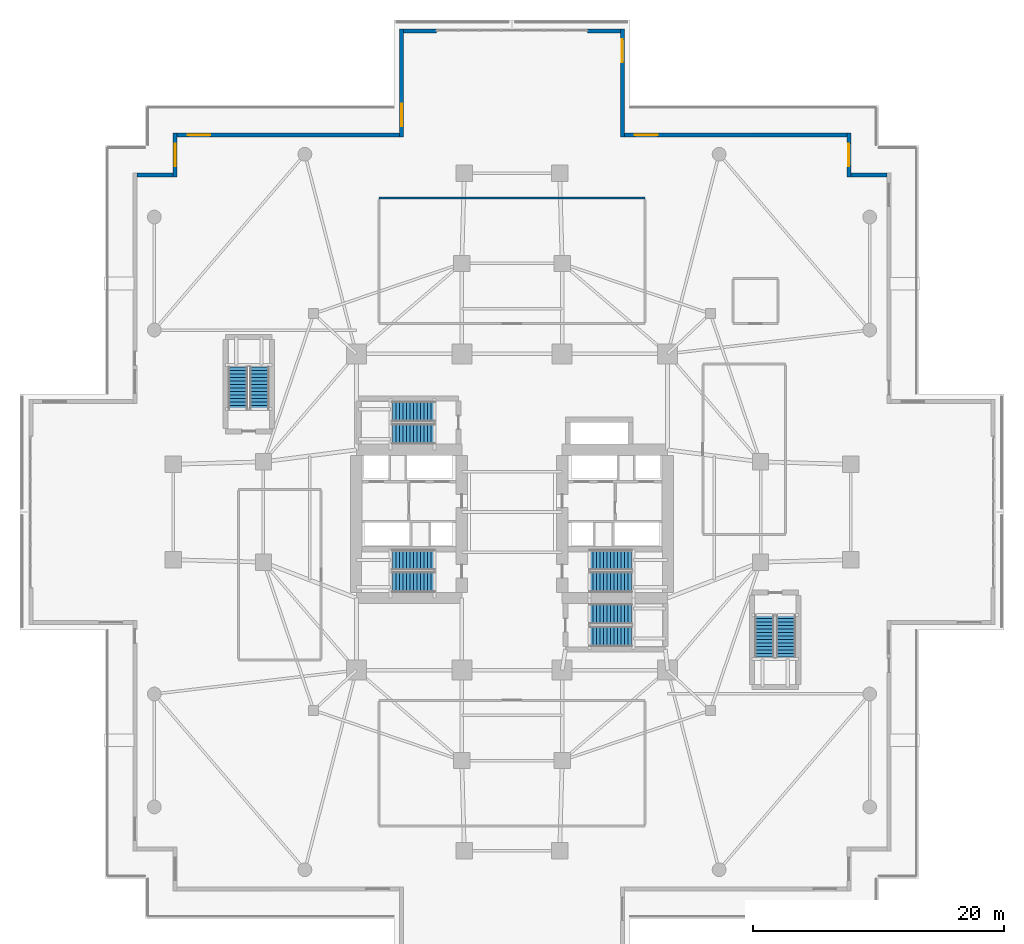
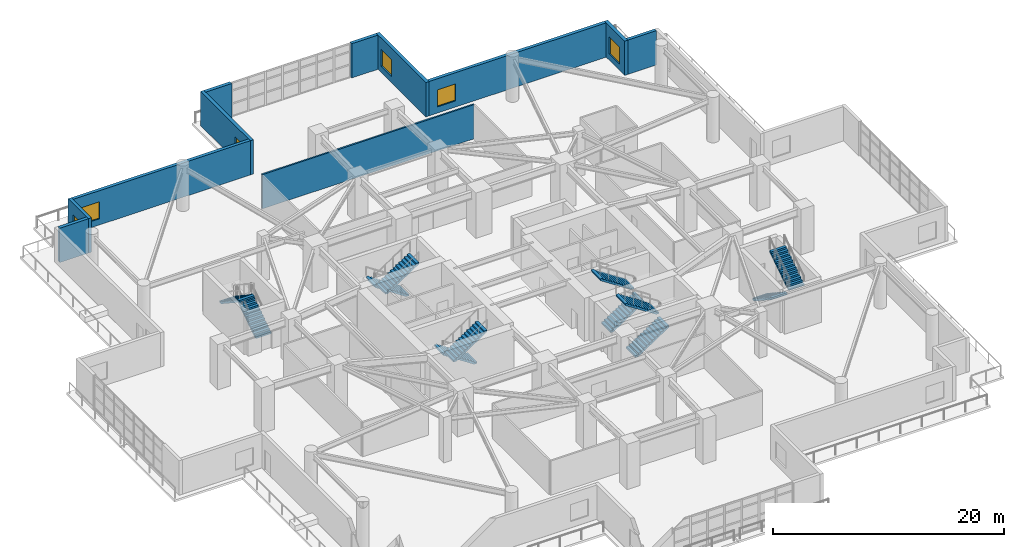
# One storey, part 16 of 23: 12 stair flights, 11 walls, 6 windows, 6 openings, 6 elements without a shape of their own.
"""IFC4 building model written with IfcOpenShell, lengths in metres."""

from ifc_helpers import new_model, si_unit, direction, frame, frame_2d, origin, place, context, subcontext, project, spatial, polyline, rectangle, outline, extrude, material, layer, layer_set, type_object, element, fill, aggregate, save


model = new_model("IFC4")

# Units and contexts
model_context = context("Model", 3, precision=1e-05, world=origin(), true_north=direction((0.0, 1.0)))
body_context = subcontext(model_context, "Body", "Model", "MODEL_VIEW")
ifc_project = project(units=[si_unit("LENGTHUNIT", "METRE"), si_unit("AREAUNIT", "SQUARE_METRE"), si_unit("VOLUMEUNIT", "CUBIC_METRE"), si_unit("PLANEANGLEUNIT", "RADIAN"), si_unit("MASSUNIT", "GRAM", prefix="KILO")], contexts=[model_context])

# Site, building, storey
site_placement = place(None, origin())
site = spatial("IfcSite", under=ifc_project, at=site_placement, CompositionType="ELEMENT")
building_placement = place(site_placement, origin())
building = spatial("IfcBuilding", under=site, at=building_placement, Name="Qingluan Cross Belvedere", CompositionType="ELEMENT")
storey_placement = place(building_placement, frame((0.0, 0.0, 5.39990234375)))
storey = spatial("IfcBuildingStorey", under=building, at=storey_placement, Name="L02", CompositionType="ELEMENT", Elevation=5.39990234375)

# Walls
ifc_material_1 = material(Name="Gypsum plasterboard on steel stud acoustic partition", Category="steel")
ifc_layer_1 = layer(ifc_material_1, 0.159912109375, Name="CorridorPartition_160")
ifc_layer_set_1 = layer_set([ifc_layer_1], Name="Gypsum plasterboard on steel stud acoustic partition")
wall_type_1 = type_object("IfcWallType", Name="CorridorPartition_160", PredefinedType="PARTITIONING", material=ifc_layer_set_1)
wall_1_placement = place(storey_placement, frame((-10.60009765625, 25.0, 0.0), z_axis=(0.0, 0.0, 1.0), x_axis=(1.0, 0.0, 0.0)))
element("IfcWall", 1, at=wall_1_placement, inside=storey, type_object=wall_type_1, Name="Partition L02:pod_n:N", PredefinedType="PARTITIONING", context=body_context, shape_type="SweptSolid", body=[
    extrude(rectangle(XDim=21.2001953125, YDim=0.159912109375, at=frame_2d((10.60009765625, 0.0))), origin(), (0.0, 0.0, 1.0), 3.6201171875),
])
ifc_material_2 = material(Name="Precast concrete C45", Category="concrete")
ifc_layer_2 = layer(ifc_material_2, 0.320068359375, Name="PrecastPodiumWall_320")
ifc_layer_set_2 = layer_set([ifc_layer_2], Name="Precast concrete C45")
wall_type_2 = type_object("IfcWallType", Name="PrecastPodiumWall_320", PredefinedType="STANDARD", material=ifc_layer_set_2)
wall_2_placement = place(storey_placement, frame((-29.8798828125, 26.840087890625, 0.0), z_axis=(0.0, 0.0, 1.0), x_axis=(1.0, 0.0, 0.0)))
element("IfcWall", 2, at=wall_2_placement, inside=storey, type_object=wall_type_2, Name="Podium precast facade wall L02-S15", PredefinedType="STANDARD", context=body_context, shape_type="SweptSolid", body=[
    extrude(rectangle(XDim=2.8798828125, YDim=0.320068359375, at=frame_2d((1.43994140625, 0.0))), origin(), (0.0, 0.0, 1.0), 3.630126953125),
])

# Wall, opening, window
wall_3_placement = place(storey_placement, frame((-26.840087890625, 26.679931640625, 0.0), z_axis=(0.0, 0.0, 1.0), x_axis=(0.0, 1.0, 0.0)))
wall_3 = element("IfcWall", 3, at=wall_3_placement, inside=storey, type_object=wall_type_2, Name="Podium precast facade wall L02-S16", PredefinedType="STANDARD", context=body_context, shape_type="SweptSolid", body=[
    extrude(rectangle(XDim=3.52001953125, YDim=0.320068359375, at=frame_2d((1.760009765625, 0.0))), origin(), (0.0, 0.0, 1.0), 3.630126953125),
])
opening_1_placement = place(wall_3_placement, frame((0.85009765625, 0.0, 0.64990234375)))
opening_1 = element("IfcOpeningElement", 4, at=opening_1_placement, cuts=wall_3, Name="Opening W-06", PredefinedType="OPENING", context=body_context, shape_type="SweptSolid", body=[
    extrude(rectangle(XDim=1.800048828125, YDim=1.800048828125, at=frame_2d((0.89990234375, 0.89990234375))), frame((0.0, 0.169921875, 0.0), z_axis=(0.0, -1.0, 0.0), x_axis=(1.0, 0.0, 0.0)), (0.0, 0.0, 1.0), 0.340087890625),
])
ifc_material_3 = material(Name="Thermally broken triple Low-E glass in aluminium frame", Category="aluminium")
window_type = type_object("IfcWindowType", Name="PodiumGalleryWin_1800x1800", PartitioningType="SINGLE_PANEL", PredefinedType="WINDOW", material=ifc_material_3)
window_1_placement = place(opening_1_placement, origin())
window_1 = element("IfcWindow", 5, at=window_1_placement, inside=storey, type_object=window_type, Name="Podium gallery window L02-S16", OverallHeight=1.800048828125, OverallWidth=1.800048828125, PartitioningType="SINGLE_PANEL", PredefinedType="WINDOW", context=body_context, shape_type="SweptSolid", body=[
    extrude(rectangle(XDim=1.800048828125, YDim=1.800048828125, at=frame_2d((0.89990234375, 0.89990234375))), frame((0.0, 0.030029296875, 0.0), z_axis=(0.0, -1.0, 0.0), x_axis=(1.0, 0.0, 0.0)), (0.0, 0.0, 1.0), 0.06005859375),
])
fill(opening_1, window_1)

wall_4_placement = place(storey_placement, frame((-26.679931640625, 30.0400390625, 0.0), z_axis=(0.0, 0.0, 1.0), x_axis=(1.0, 0.0, 0.0)))
wall_4 = element("IfcWall", 6, at=wall_4_placement, inside=storey, type_object=wall_type_2, Name="Podium precast facade wall L02-S17", PredefinedType="STANDARD", context=body_context, shape_type="SweptSolid", body=[
    extrude(rectangle(XDim=17.72998046875, YDim=0.320068359375, at=frame_2d((8.864990234375, 0.0))), origin(), (0.0, 0.0, 1.0), 3.630126953125),
])
opening_2_placement = place(wall_4_placement, frame((0.85009765625, 0.0, 0.64990234375)))
opening_2 = element("IfcOpeningElement", 7, at=opening_2_placement, cuts=wall_4, Name="Opening W-06", PredefinedType="OPENING", context=body_context, shape_type="SweptSolid", body=[
    extrude(rectangle(XDim=1.800048828125, YDim=1.800048828125, at=frame_2d((0.89990234375, 0.89990234375))), frame((0.0, 0.169921875, 0.0), z_axis=(0.0, -1.0, 0.0), x_axis=(1.0, 0.0, 0.0)), (0.0, 0.0, 1.0), 0.340087890625),
])
window_2_placement = place(opening_2_placement, origin())
window_2 = element("IfcWindow", 8, at=window_2_placement, inside=storey, type_object=window_type, Name="Podium gallery window L02-S17", OverallHeight=1.800048828125, OverallWidth=1.800048828125, PartitioningType="SINGLE_PANEL", PredefinedType="WINDOW", context=body_context, shape_type="SweptSolid", body=[
    extrude(rectangle(XDim=1.800048828125, YDim=1.800048828125, at=frame_2d((0.89990234375, 0.89990234375))), frame((0.0, 0.030029296875, 0.0), z_axis=(0.0, -1.0, 0.0), x_axis=(1.0, 0.0, 0.0)), (0.0, 0.0, 1.0), 0.06005859375),
])
fill(opening_2, window_2)

wall_5_placement = place(storey_placement, frame((-8.7900390625, 29.8798828125, 0.0), z_axis=(0.0, 0.0, 1.0), x_axis=(0.0, 1.0, 0.0)))
wall_5 = element("IfcWall", 9, at=wall_5_placement, inside=storey, type_object=wall_type_2, Name="Podium precast facade wall L02-S18", PredefinedType="STANDARD", context=body_context, shape_type="SweptSolid", body=[
    extrude(rectangle(XDim=8.6201171875, YDim=0.320068359375, at=frame_2d((4.31005859375, 0.0))), origin(), (0.0, 0.0, 1.0), 3.630126953125),
])
opening_3_placement = place(wall_5_placement, frame((0.85009765625, 0.0, 0.64990234375)))
opening_3 = element("IfcOpeningElement", 10, at=opening_3_placement, cuts=wall_5, Name="Opening W-06", PredefinedType="OPENING", context=body_context, shape_type="SweptSolid", body=[
    extrude(rectangle(XDim=1.800048828125, YDim=1.800048828125, at=frame_2d((0.89990234375, 0.89990234375))), frame((0.0, 0.169921875, 0.0), z_axis=(0.0, -1.0, 0.0), x_axis=(1.0, 0.0, 0.0)), (0.0, 0.0, 1.0), 0.340087890625),
])
window_3_placement = place(opening_3_placement, origin())
window_3 = element("IfcWindow", 11, at=window_3_placement, inside=storey, type_object=window_type, Name="Podium gallery window L02-S18", OverallHeight=1.800048828125, OverallWidth=1.800048828125, PartitioningType="SINGLE_PANEL", PredefinedType="WINDOW", context=body_context, shape_type="SweptSolid", body=[
    extrude(rectangle(XDim=1.800048828125, YDim=1.800048828125, at=frame_2d((0.89990234375, 0.89990234375))), frame((0.0, 0.030029296875, 0.0), z_axis=(0.0, -1.0, 0.0), x_axis=(1.0, 0.0, 0.0)), (0.0, 0.0, 1.0), 0.06005859375),
])
fill(opening_3, window_3)

# Walls
for number, where, z_axis, x_axis, name in (
    (12, (-8.6298828125, 38.340087890625, 0.0), (0.0, 0.0, 1.0), (1.0, 0.0, 0.0), "Podium portal pier L02-P3JA"),
    (13, (6.0, 38.340087890625, 0.0), (0.0, 0.0, 1.0), (1.0, 0.0, 0.0), "Podium portal pier L02-P3JB"),
):
    element("IfcWall", number, at=place(storey_placement, frame(where, z_axis=z_axis, x_axis=x_axis)), inside=storey, type_object=wall_type_2, Name=name, PredefinedType="STANDARD", context=body_context, shape_type="SweptSolid", body=[
        extrude(rectangle(XDim=2.6298828125, YDim=0.320068359375, at=frame_2d((1.31494140625, 0.0))), origin(), (0.0, 0.0, 1.0), 3.630126953125),
    ])

# Wall, opening, window
wall_6_placement = place(storey_placement, frame((8.7900390625, 38.5, 0.0), z_axis=(0.0, 0.0, 1.0), x_axis=(0.0, -1.0, 0.0)))
wall_6 = element("IfcWall", 14, at=wall_6_placement, inside=storey, type_object=wall_type_2, Name="Podium precast facade wall L02-S21", PredefinedType="STANDARD", context=body_context, shape_type="SweptSolid", body=[
    extrude(rectangle(XDim=8.6201171875, YDim=0.320068359375, at=frame_2d((4.31005859375, 0.0))), origin(), (0.0, 0.0, 1.0), 3.630126953125),
])
opening_4_placement = place(wall_6_placement, frame((0.85009765625, 0.0, 0.64990234375)))
opening_4 = element("IfcOpeningElement", 15, at=opening_4_placement, cuts=wall_6, Name="Opening W-06", PredefinedType="OPENING", context=body_context, shape_type="SweptSolid", body=[
    extrude(rectangle(XDim=1.800048828125, YDim=1.800048828125, at=frame_2d((0.89990234375, 0.89990234375))), frame((0.0, 0.169921875, 0.0), z_axis=(0.0, -1.0, 0.0), x_axis=(1.0, 0.0, 0.0)), (0.0, 0.0, 1.0), 0.340087890625),
])
window_4_placement = place(opening_4_placement, origin())
window_4 = element("IfcWindow", 16, at=window_4_placement, inside=storey, type_object=window_type, Name="Podium gallery window L02-S21", OverallHeight=1.800048828125, OverallWidth=1.800048828125, PartitioningType="SINGLE_PANEL", PredefinedType="WINDOW", context=body_context, shape_type="SweptSolid", body=[
    extrude(rectangle(XDim=1.800048828125, YDim=1.800048828125, at=frame_2d((0.89990234375, 0.89990234375))), frame((0.0, 0.030029296875, 0.0), z_axis=(0.0, -1.0, 0.0), x_axis=(1.0, 0.0, 0.0)), (0.0, 0.0, 1.0), 0.06005859375),
])
fill(opening_4, window_4)

wall_7_placement = place(storey_placement, frame((8.949951171875, 30.0400390625, 0.0), z_axis=(0.0, 0.0, 1.0), x_axis=(1.0, 0.0, 0.0)))
wall_7 = element("IfcWall", 17, at=wall_7_placement, inside=storey, type_object=wall_type_2, Name="Podium precast facade wall L02-S22", PredefinedType="STANDARD", context=body_context, shape_type="SweptSolid", body=[
    extrude(rectangle(XDim=17.72998046875, YDim=0.320068359375, at=frame_2d((8.864990234375, 0.0))), origin(), (0.0, 0.0, 1.0), 3.630126953125),
])
opening_5_placement = place(wall_7_placement, frame((0.85009765625, 0.0, 0.64990234375)))
opening_5 = element("IfcOpeningElement", 18, at=opening_5_placement, cuts=wall_7, Name="Opening W-06", PredefinedType="OPENING", context=body_context, shape_type="SweptSolid", body=[
    extrude(rectangle(XDim=1.800048828125, YDim=1.800048828125, at=frame_2d((0.89990234375, 0.89990234375))), frame((0.0, 0.169921875, 0.0), z_axis=(0.0, -1.0, 0.0), x_axis=(1.0, 0.0, 0.0)), (0.0, 0.0, 1.0), 0.340087890625),
])
window_5_placement = place(opening_5_placement, origin())
window_5 = element("IfcWindow", 19, at=window_5_placement, inside=storey, type_object=window_type, Name="Podium gallery window L02-S22", OverallHeight=1.800048828125, OverallWidth=1.800048828125, PartitioningType="SINGLE_PANEL", PredefinedType="WINDOW", context=body_context, shape_type="SweptSolid", body=[
    extrude(rectangle(XDim=1.800048828125, YDim=1.800048828125, at=frame_2d((0.89990234375, 0.89990234375))), frame((0.0, 0.030029296875, 0.0), z_axis=(0.0, -1.0, 0.0), x_axis=(1.0, 0.0, 0.0)), (0.0, 0.0, 1.0), 0.06005859375),
])
fill(opening_5, window_5)

wall_8_placement = place(storey_placement, frame((26.840087890625, 30.199951171875, 0.0), z_axis=(0.0, 0.0, 1.0), x_axis=(0.0, -1.0, 0.0)))
wall_8 = element("IfcWall", 20, at=wall_8_placement, inside=storey, type_object=wall_type_2, Name="Podium precast facade wall L02-S23", PredefinedType="STANDARD", context=body_context, shape_type="SweptSolid", body=[
    extrude(rectangle(XDim=3.52001953125, YDim=0.320068359375, at=frame_2d((1.760009765625, 0.0))), origin(), (0.0, 0.0, 1.0), 3.630126953125),
])
opening_6_placement = place(wall_8_placement, frame((0.85009765625, 0.0, 0.64990234375)))
opening_6 = element("IfcOpeningElement", 21, at=opening_6_placement, cuts=wall_8, Name="Opening W-06", PredefinedType="OPENING", context=body_context, shape_type="SweptSolid", body=[
    extrude(rectangle(XDim=1.800048828125, YDim=1.800048828125, at=frame_2d((0.89990234375, 0.89990234375))), frame((0.0, 0.169921875, 0.0), z_axis=(0.0, -1.0, 0.0), x_axis=(1.0, 0.0, 0.0)), (0.0, 0.0, 1.0), 0.340087890625),
])
window_6_placement = place(opening_6_placement, origin())
window_6 = element("IfcWindow", 22, at=window_6_placement, inside=storey, type_object=window_type, Name="Podium gallery window L02-S23", OverallHeight=1.800048828125, OverallWidth=1.800048828125, PartitioningType="SINGLE_PANEL", PredefinedType="WINDOW", context=body_context, shape_type="SweptSolid", body=[
    extrude(rectangle(XDim=1.800048828125, YDim=1.800048828125, at=frame_2d((0.89990234375, 0.89990234375))), frame((0.0, 0.030029296875, 0.0), z_axis=(0.0, -1.0, 0.0), x_axis=(1.0, 0.0, 0.0)), (0.0, 0.0, 1.0), 0.06005859375),
])
fill(opening_6, window_6)

# Wall
wall_9_placement = place(storey_placement, frame((27.0, 26.840087890625, 0.0), z_axis=(0.0, 0.0, 1.0), x_axis=(1.0, 0.0, 0.0)))
element("IfcWall", 23, at=wall_9_placement, inside=storey, type_object=wall_type_2, Name="Podium precast facade wall L02-S24", PredefinedType="STANDARD", context=body_context, shape_type="SweptSolid", body=[
    extrude(rectangle(XDim=2.8798828125, YDim=0.320068359375, at=frame_2d((1.43994140625, 0.0))), origin(), (0.0, 0.0, 1.0), 3.630126953125),
])

# Stair, stair flights
ifc_material_4 = material(Name="Concrete C40", Category="concrete")
stair_type_1 = type_object("IfcStairType", Name="PodiumExitStair_1550", PredefinedType="HALF_TURN_STAIR", material=ifc_material_4)
stair_1_placement = place(storey_placement, origin())
stair_1 = element("IfcStair", 24, at=stair_1_placement, inside=storey, type_object=stair_type_1, Name="L02 ST5", PredefinedType="HALF_TURN_STAIR")
ifc_material_5 = material(Name="Concrete C40", Category="concrete")
ifc_layer_3 = layer(ifc_material_5, 0.179931640625, Name="PodiumStairFlight_RC180")
ifc_layer_set_3 = layer_set([ifc_layer_3], Name="Concrete C40")
stair_flight_type_1 = type_object("IfcStairFlightType", Name="PodiumStairFlight_RC180", PredefinedType="STRAIGHT", material=ifc_layer_set_3)
stair_flight_1_placement = place(storey_placement, frame((-20.114990234375, 8.2099609375, 0.0), z_axis=(0.0, 0.0, 1.0), x_axis=(0.0, 1.0, 0.0)))
stair_flight_1 = element("IfcStairFlight", 25, at=stair_flight_1_placement, type_object=stair_flight_type_1, Name="ST5 flight 1", NumberOfRisers=13, NumberOfTreads=12, PredefinedType="STRAIGHT", RiserHeight=0.184615385, TreadLength=0.28, context=body_context, shape_type="SweptSolid", body=[
    extrude(outline(polyline([(0.0, 0.0), (0.0, 0.1845703125), (0.280029296875, 0.1845703125), (0.280029296875, 0.369140625), (0.56005859375, 0.369140625), (0.56005859375, 0.553955078125), (0.840087890625, 0.553955078125), (0.840087890625, 0.738525390625), (1.1201171875, 0.738525390625), (1.1201171875, 0.923095703125), (1.39990234375, 0.923095703125), (1.39990234375, 1.107666015625), (1.679931640625, 1.107666015625), (1.679931640625, 1.292236328125), (1.9599609375, 1.292236328125), (1.9599609375, 1.476806640625), (2.239990234375, 1.476806640625), (2.239990234375, 1.66162109375), (2.52001953125, 1.66162109375), (2.52001953125, 1.84619140625), (2.800048828125, 1.84619140625), (2.800048828125, 2.03076171875), (3.080078125, 2.03076171875), (3.080078125, 2.21533203125), (3.360107421875, 2.21533203125), (3.360107421875, 2.39990234375), (3.360107421875, 2.035888671875), (0.272216796875, 0.0), (0.0, 0.0)])), frame((0.0, 0.77490234375, 0.0), z_axis=(0.0, -1.0, 0.0), x_axis=(1.0, 0.0, 0.0)), (0.0, 0.0, 1.0), 1.550048828125),
])
stair_flight_2_placement = place(storey_placement, frame((-21.824951171875, 11.570068359375, 2.400146484375), z_axis=(0.0, 0.0, 1.0), x_axis=(0.0, -1.0, 0.0)))
stair_flight_2 = element("IfcStairFlight", 26, at=stair_flight_2_placement, type_object=stair_flight_type_1, Name="ST5 flight 2", NumberOfRisers=13, NumberOfTreads=12, PredefinedType="STRAIGHT", RiserHeight=0.184615385, TreadLength=0.28, context=body_context, shape_type="SweptSolid", body=[
    extrude(outline(polyline([(0.0, 0.0), (0.0, 0.1845703125), (0.280029296875, 0.1845703125), (0.280029296875, 0.369140625), (0.56005859375, 0.369140625), (0.56005859375, 0.553955078125), (0.840087890625, 0.553955078125), (0.840087890625, 0.738525390625), (1.1201171875, 0.738525390625), (1.1201171875, 0.923095703125), (1.39990234375, 0.923095703125), (1.39990234375, 1.107666015625), (1.679931640625, 1.107666015625), (1.679931640625, 1.292236328125), (1.9599609375, 1.292236328125), (1.9599609375, 1.476806640625), (2.239990234375, 1.476806640625), (2.239990234375, 1.66162109375), (2.52001953125, 1.66162109375), (2.52001953125, 1.84619140625), (2.800048828125, 1.84619140625), (2.800048828125, 2.03076171875), (3.080078125, 2.03076171875), (3.080078125, 2.21533203125), (3.360107421875, 2.21533203125), (3.360107421875, 2.39990234375), (3.360107421875, 2.035888671875), (0.272216796875, 0.0), (0.0, 0.0)])), frame((0.0, 0.77490234375, 0.0), z_axis=(0.0, -1.0, 0.0), x_axis=(1.0, 0.0, 0.0)), (0.0, 0.0, 1.0), 1.550048828125),
])
aggregate(stair_1, [stair_flight_1, stair_flight_2])

stair_2_placement = place(storey_placement, origin())
stair_2 = element("IfcStair", 27, at=stair_2_placement, inside=storey, type_object=stair_type_1, Name="L02 ST6", PredefinedType="HALF_TURN_STAIR")
stair_flight_3_placement = place(storey_placement, frame((20.114990234375, -8.2099609375, 0.0), z_axis=(0.0, 0.0, 1.0), x_axis=(0.0, -1.0, 0.0)))
stair_flight_3 = element("IfcStairFlight", 28, at=stair_flight_3_placement, type_object=stair_flight_type_1, Name="ST6 flight 1", NumberOfRisers=13, NumberOfTreads=12, PredefinedType="STRAIGHT", RiserHeight=0.184615385, TreadLength=0.28, context=body_context, shape_type="SweptSolid", body=[
    extrude(outline(polyline([(0.0, 0.0), (0.0, 0.1845703125), (0.280029296875, 0.1845703125), (0.280029296875, 0.369140625), (0.56005859375, 0.369140625), (0.56005859375, 0.553955078125), (0.840087890625, 0.553955078125), (0.840087890625, 0.738525390625), (1.1201171875, 0.738525390625), (1.1201171875, 0.923095703125), (1.39990234375, 0.923095703125), (1.39990234375, 1.107666015625), (1.679931640625, 1.107666015625), (1.679931640625, 1.292236328125), (1.9599609375, 1.292236328125), (1.9599609375, 1.476806640625), (2.239990234375, 1.476806640625), (2.239990234375, 1.66162109375), (2.52001953125, 1.66162109375), (2.52001953125, 1.84619140625), (2.800048828125, 1.84619140625), (2.800048828125, 2.03076171875), (3.080078125, 2.03076171875), (3.080078125, 2.21533203125), (3.360107421875, 2.21533203125), (3.360107421875, 2.39990234375), (3.360107421875, 2.035888671875), (0.272216796875, 0.0), (0.0, 0.0)])), frame((0.0, 0.77490234375, 0.0), z_axis=(0.0, -1.0, 0.0), x_axis=(1.0, 0.0, 0.0)), (0.0, 0.0, 1.0), 1.550048828125),
])
stair_flight_4_placement = place(storey_placement, frame((21.824951171875, -11.570068359375, 2.400146484375), z_axis=(0.0, 0.0, 1.0), x_axis=(0.0, 1.0, 0.0)))
stair_flight_4 = element("IfcStairFlight", 29, at=stair_flight_4_placement, type_object=stair_flight_type_1, Name="ST6 flight 2", NumberOfRisers=13, NumberOfTreads=12, PredefinedType="STRAIGHT", RiserHeight=0.184615385, TreadLength=0.28, context=body_context, shape_type="SweptSolid", body=[
    extrude(outline(polyline([(0.0, 0.0), (0.0, 0.1845703125), (0.280029296875, 0.1845703125), (0.280029296875, 0.369140625), (0.56005859375, 0.369140625), (0.56005859375, 0.553955078125), (0.840087890625, 0.553955078125), (0.840087890625, 0.738525390625), (1.1201171875, 0.738525390625), (1.1201171875, 0.923095703125), (1.39990234375, 0.923095703125), (1.39990234375, 1.107666015625), (1.679931640625, 1.107666015625), (1.679931640625, 1.292236328125), (1.9599609375, 1.292236328125), (1.9599609375, 1.476806640625), (2.239990234375, 1.476806640625), (2.239990234375, 1.66162109375), (2.52001953125, 1.66162109375), (2.52001953125, 1.84619140625), (2.800048828125, 1.84619140625), (2.800048828125, 2.03076171875), (3.080078125, 2.03076171875), (3.080078125, 2.21533203125), (3.360107421875, 2.21533203125), (3.360107421875, 2.39990234375), (3.360107421875, 2.035888671875), (0.272216796875, 0.0), (0.0, 0.0)])), frame((0.0, 0.77490234375, 0.0), z_axis=(0.0, -1.0, 0.0), x_axis=(1.0, 0.0, 0.0)), (0.0, 0.0, 1.0), 1.550048828125),
])
aggregate(stair_2, [stair_flight_3, stair_flight_4])

ifc_material_6 = material(Name="Concrete C40", Category="concrete")
stair_type_2 = type_object("IfcStairType", Name="CoreDoglegStair_1620", PredefinedType="HALF_TURN_STAIR", material=ifc_material_6)
stair_3_placement = place(storey_placement, origin())
stair_3 = element("IfcStair", 30, at=stair_3_placement, inside=storey, type_object=stair_type_2, Name="L02 ST1", PredefinedType="HALF_TURN_STAIR")
ifc_material_7 = material(Name="Concrete C40", Category="concrete")
ifc_layer_4 = layer(ifc_material_7, 0.179931640625, Name="StairFlight_RC180")
ifc_layer_set_4 = layer_set([ifc_layer_4], Name="Concrete C40")
stair_flight_type_2 = type_object("IfcStairFlightType", Name="StairFlight_RC180", PredefinedType="STRAIGHT", material=ifc_layer_set_4)
stair_flight_5_placement = place(storey_placement, frame((-6.179931640625, -3.81005859375, 0.0), z_axis=(0.0, 0.0, 1.0), x_axis=(-1.0, 0.0, 0.0)))
stair_flight_5 = element("IfcStairFlight", 31, at=stair_flight_5_placement, type_object=stair_flight_type_2, Name="ST1 flight 1", NumberOfRisers=13, NumberOfTreads=12, PredefinedType="STRAIGHT", RiserHeight=0.184615385, TreadLength=0.28, context=body_context, shape_type="SweptSolid", body=[
    extrude(outline(polyline([(0.0, 0.0), (0.0, 0.1845703125), (0.280029296875, 0.1845703125), (0.280029296875, 0.369140625), (0.56005859375, 0.369140625), (0.56005859375, 0.553955078125), (0.840087890625, 0.553955078125), (0.840087890625, 0.738525390625), (1.1201171875, 0.738525390625), (1.1201171875, 0.923095703125), (1.39990234375, 0.923095703125), (1.39990234375, 1.107666015625), (1.679931640625, 1.107666015625), (1.679931640625, 1.292236328125), (1.9599609375, 1.292236328125), (1.9599609375, 1.476806640625), (2.239990234375, 1.476806640625), (2.239990234375, 1.66162109375), (2.52001953125, 1.66162109375), (2.52001953125, 1.84619140625), (2.800048828125, 1.84619140625), (2.800048828125, 2.03076171875), (3.080078125, 2.03076171875), (3.080078125, 2.21533203125), (3.360107421875, 2.21533203125), (3.360107421875, 2.39990234375), (3.360107421875, 2.035888671875), (0.272216796875, 0.0), (0.0, 0.0)])), frame((0.0, 0.81005859375, 0.0), z_axis=(0.0, -1.0, 0.0), x_axis=(1.0, 0.0, 0.0)), (0.0, 0.0, 1.0), 1.6201171875),
])
stair_flight_6_placement = place(storey_placement, frame((-9.5400390625, -5.590087890625, 2.400146484375), z_axis=(0.0, 0.0, 1.0), x_axis=(1.0, 0.0, 0.0)))
stair_flight_6 = element("IfcStairFlight", 32, at=stair_flight_6_placement, type_object=stair_flight_type_2, Name="ST1 flight 2", NumberOfRisers=13, NumberOfTreads=12, PredefinedType="STRAIGHT", RiserHeight=0.184615385, TreadLength=0.28, context=body_context, shape_type="SweptSolid", body=[
    extrude(outline(polyline([(0.0, 0.0), (0.0, 0.1845703125), (0.280029296875, 0.1845703125), (0.280029296875, 0.369140625), (0.56005859375, 0.369140625), (0.56005859375, 0.553955078125), (0.840087890625, 0.553955078125), (0.840087890625, 0.738525390625), (1.1201171875, 0.738525390625), (1.1201171875, 0.923095703125), (1.39990234375, 0.923095703125), (1.39990234375, 1.107666015625), (1.679931640625, 1.107666015625), (1.679931640625, 1.292236328125), (1.9599609375, 1.292236328125), (1.9599609375, 1.476806640625), (2.239990234375, 1.476806640625), (2.239990234375, 1.66162109375), (2.52001953125, 1.66162109375), (2.52001953125, 1.84619140625), (2.800048828125, 1.84619140625), (2.800048828125, 2.03076171875), (3.080078125, 2.03076171875), (3.080078125, 2.21533203125), (3.360107421875, 2.21533203125), (3.360107421875, 2.39990234375), (3.360107421875, 2.035888671875), (0.272216796875, 0.0), (0.0, 0.0)])), frame((0.0, 0.81005859375, 0.0), z_axis=(0.0, -1.0, 0.0), x_axis=(1.0, 0.0, 0.0)), (0.0, 0.0, 1.0), 1.6201171875),
])
aggregate(stair_3, [stair_flight_5, stair_flight_6])

stair_4_placement = place(storey_placement, origin())
stair_4 = element("IfcStair", 33, at=stair_4_placement, inside=storey, type_object=stair_type_2, Name="L02 ST2", PredefinedType="HALF_TURN_STAIR")
stair_flight_7_placement = place(storey_placement, frame((6.179931640625, -5.590087890625, 0.0), z_axis=(0.0, 0.0, 1.0), x_axis=(1.0, 0.0, 0.0)))
stair_flight_7 = element("IfcStairFlight", 34, at=stair_flight_7_placement, type_object=stair_flight_type_2, Name="ST2 flight 1", NumberOfRisers=13, NumberOfTreads=12, PredefinedType="STRAIGHT", RiserHeight=0.184615385, TreadLength=0.28, context=body_context, shape_type="SweptSolid", body=[
    extrude(outline(polyline([(0.0, 0.0), (0.0, 0.1845703125), (0.280029296875, 0.1845703125), (0.280029296875, 0.369140625), (0.56005859375, 0.369140625), (0.56005859375, 0.553955078125), (0.840087890625, 0.553955078125), (0.840087890625, 0.738525390625), (1.1201171875, 0.738525390625), (1.1201171875, 0.923095703125), (1.39990234375, 0.923095703125), (1.39990234375, 1.107666015625), (1.679931640625, 1.107666015625), (1.679931640625, 1.292236328125), (1.9599609375, 1.292236328125), (1.9599609375, 1.476806640625), (2.239990234375, 1.476806640625), (2.239990234375, 1.66162109375), (2.52001953125, 1.66162109375), (2.52001953125, 1.84619140625), (2.800048828125, 1.84619140625), (2.800048828125, 2.03076171875), (3.080078125, 2.03076171875), (3.080078125, 2.21533203125), (3.360107421875, 2.21533203125), (3.360107421875, 2.39990234375), (3.360107421875, 2.035888671875), (0.272216796875, 0.0), (0.0, 0.0)])), frame((0.0, 0.81005859375, 0.0), z_axis=(0.0, -1.0, 0.0), x_axis=(1.0, 0.0, 0.0)), (0.0, 0.0, 1.0), 1.6201171875),
])
stair_flight_8_placement = place(storey_placement, frame((9.5400390625, -3.81005859375, 2.400146484375), z_axis=(0.0, 0.0, 1.0), x_axis=(-1.0, 0.0, 0.0)))
stair_flight_8 = element("IfcStairFlight", 35, at=stair_flight_8_placement, type_object=stair_flight_type_2, Name="ST2 flight 2", NumberOfRisers=13, NumberOfTreads=12, PredefinedType="STRAIGHT", RiserHeight=0.184615385, TreadLength=0.28, context=body_context, shape_type="SweptSolid", body=[
    extrude(outline(polyline([(0.0, 0.0), (0.0, 0.1845703125), (0.280029296875, 0.1845703125), (0.280029296875, 0.369140625), (0.56005859375, 0.369140625), (0.56005859375, 0.553955078125), (0.840087890625, 0.553955078125), (0.840087890625, 0.738525390625), (1.1201171875, 0.738525390625), (1.1201171875, 0.923095703125), (1.39990234375, 0.923095703125), (1.39990234375, 1.107666015625), (1.679931640625, 1.107666015625), (1.679931640625, 1.292236328125), (1.9599609375, 1.292236328125), (1.9599609375, 1.476806640625), (2.239990234375, 1.476806640625), (2.239990234375, 1.66162109375), (2.52001953125, 1.66162109375), (2.52001953125, 1.84619140625), (2.800048828125, 1.84619140625), (2.800048828125, 2.03076171875), (3.080078125, 2.03076171875), (3.080078125, 2.21533203125), (3.360107421875, 2.21533203125), (3.360107421875, 2.39990234375), (3.360107421875, 2.035888671875), (0.272216796875, 0.0), (0.0, 0.0)])), frame((0.0, 0.81005859375, 0.0), z_axis=(0.0, -1.0, 0.0), x_axis=(1.0, 0.0, 0.0)), (0.0, 0.0, 1.0), 1.6201171875),
])
aggregate(stair_4, [stair_flight_7, stair_flight_8])

stair_5_placement = place(storey_placement, origin())
stair_5 = element("IfcStair", 36, at=stair_5_placement, inside=storey, type_object=stair_type_2, Name="L02 ST3", PredefinedType="HALF_TURN_STAIR")
stair_flight_9_placement = place(storey_placement, frame((-6.179931640625, 8.010009765625, 0.0), z_axis=(0.0, 0.0, 1.0), x_axis=(-1.0, 0.0, 0.0)))
stair_flight_9 = element("IfcStairFlight", 37, at=stair_flight_9_placement, type_object=stair_flight_type_2, Name="ST3 flight 1", NumberOfRisers=13, NumberOfTreads=12, PredefinedType="STRAIGHT", RiserHeight=0.184615385, TreadLength=0.28, context=body_context, shape_type="SweptSolid", body=[
    extrude(outline(polyline([(0.0, 0.0), (0.0, 0.1845703125), (0.280029296875, 0.1845703125), (0.280029296875, 0.369140625), (0.56005859375, 0.369140625), (0.56005859375, 0.553955078125), (0.840087890625, 0.553955078125), (0.840087890625, 0.738525390625), (1.1201171875, 0.738525390625), (1.1201171875, 0.923095703125), (1.39990234375, 0.923095703125), (1.39990234375, 1.107666015625), (1.679931640625, 1.107666015625), (1.679931640625, 1.292236328125), (1.9599609375, 1.292236328125), (1.9599609375, 1.476806640625), (2.239990234375, 1.476806640625), (2.239990234375, 1.66162109375), (2.52001953125, 1.66162109375), (2.52001953125, 1.84619140625), (2.800048828125, 1.84619140625), (2.800048828125, 2.03076171875), (3.080078125, 2.03076171875), (3.080078125, 2.21533203125), (3.360107421875, 2.21533203125), (3.360107421875, 2.39990234375), (3.360107421875, 2.035888671875), (0.272216796875, 0.0), (0.0, 0.0)])), frame((0.0, 0.81005859375, 0.0), z_axis=(0.0, -1.0, 0.0), x_axis=(1.0, 0.0, 0.0)), (0.0, 0.0, 1.0), 1.6201171875),
])
stair_flight_10_placement = place(storey_placement, frame((-9.5400390625, 6.22998046875, 2.400146484375), z_axis=(0.0, 0.0, 1.0), x_axis=(1.0, 0.0, 0.0)))
stair_flight_10 = element("IfcStairFlight", 38, at=stair_flight_10_placement, type_object=stair_flight_type_2, Name="ST3 flight 2", NumberOfRisers=13, NumberOfTreads=12, PredefinedType="STRAIGHT", RiserHeight=0.184615385, TreadLength=0.28, context=body_context, shape_type="SweptSolid", body=[
    extrude(outline(polyline([(0.0, 0.0), (0.0, 0.1845703125), (0.280029296875, 0.1845703125), (0.280029296875, 0.369140625), (0.56005859375, 0.369140625), (0.56005859375, 0.553955078125), (0.840087890625, 0.553955078125), (0.840087890625, 0.738525390625), (1.1201171875, 0.738525390625), (1.1201171875, 0.923095703125), (1.39990234375, 0.923095703125), (1.39990234375, 1.107666015625), (1.679931640625, 1.107666015625), (1.679931640625, 1.292236328125), (1.9599609375, 1.292236328125), (1.9599609375, 1.476806640625), (2.239990234375, 1.476806640625), (2.239990234375, 1.66162109375), (2.52001953125, 1.66162109375), (2.52001953125, 1.84619140625), (2.800048828125, 1.84619140625), (2.800048828125, 2.03076171875), (3.080078125, 2.03076171875), (3.080078125, 2.21533203125), (3.360107421875, 2.21533203125), (3.360107421875, 2.39990234375), (3.360107421875, 2.035888671875), (0.272216796875, 0.0), (0.0, 0.0)])), frame((0.0, 0.81005859375, 0.0), z_axis=(0.0, -1.0, 0.0), x_axis=(1.0, 0.0, 0.0)), (0.0, 0.0, 1.0), 1.6201171875),
])
aggregate(stair_5, [stair_flight_9, stair_flight_10])

stair_6_placement = place(storey_placement, origin())
stair_6 = element("IfcStair", 39, at=stair_6_placement, inside=storey, type_object=stair_type_2, Name="L02 ST4", PredefinedType="HALF_TURN_STAIR")
stair_flight_11_placement = place(storey_placement, frame((6.179931640625, -9.909912109375, 0.0), z_axis=(0.0, 0.0, 1.0), x_axis=(1.0, 0.0, 0.0)))
stair_flight_11 = element("IfcStairFlight", 40, at=stair_flight_11_placement, type_object=stair_flight_type_2, Name="ST4 flight 1", NumberOfRisers=13, NumberOfTreads=12, PredefinedType="STRAIGHT", RiserHeight=0.184615385, TreadLength=0.28, context=body_context, shape_type="SweptSolid", body=[
    extrude(outline(polyline([(0.0, 0.0), (0.0, 0.1845703125), (0.280029296875, 0.1845703125), (0.280029296875, 0.369140625), (0.56005859375, 0.369140625), (0.56005859375, 0.553955078125), (0.840087890625, 0.553955078125), (0.840087890625, 0.738525390625), (1.1201171875, 0.738525390625), (1.1201171875, 0.923095703125), (1.39990234375, 0.923095703125), (1.39990234375, 1.107666015625), (1.679931640625, 1.107666015625), (1.679931640625, 1.292236328125), (1.9599609375, 1.292236328125), (1.9599609375, 1.476806640625), (2.239990234375, 1.476806640625), (2.239990234375, 1.66162109375), (2.52001953125, 1.66162109375), (2.52001953125, 1.84619140625), (2.800048828125, 1.84619140625), (2.800048828125, 2.03076171875), (3.080078125, 2.03076171875), (3.080078125, 2.21533203125), (3.360107421875, 2.21533203125), (3.360107421875, 2.39990234375), (3.360107421875, 2.035888671875), (0.272216796875, 0.0), (0.0, 0.0)])), frame((0.0, 0.81005859375, 0.0), z_axis=(0.0, -1.0, 0.0), x_axis=(1.0, 0.0, 0.0)), (0.0, 0.0, 1.0), 1.6201171875),
])
stair_flight_12_placement = place(storey_placement, frame((9.5400390625, -8.1298828125, 2.400146484375), z_axis=(0.0, 0.0, 1.0), x_axis=(-1.0, 0.0, 0.0)))
stair_flight_12 = element("IfcStairFlight", 41, at=stair_flight_12_placement, type_object=stair_flight_type_2, Name="ST4 flight 2", NumberOfRisers=13, NumberOfTreads=12, PredefinedType="STRAIGHT", RiserHeight=0.184615385, TreadLength=0.28, context=body_context, shape_type="SweptSolid", body=[
    extrude(outline(polyline([(0.0, 0.0), (0.0, 0.1845703125), (0.280029296875, 0.1845703125), (0.280029296875, 0.369140625), (0.56005859375, 0.369140625), (0.56005859375, 0.553955078125), (0.840087890625, 0.553955078125), (0.840087890625, 0.738525390625), (1.1201171875, 0.738525390625), (1.1201171875, 0.923095703125), (1.39990234375, 0.923095703125), (1.39990234375, 1.107666015625), (1.679931640625, 1.107666015625), (1.679931640625, 1.292236328125), (1.9599609375, 1.292236328125), (1.9599609375, 1.476806640625), (2.239990234375, 1.476806640625), (2.239990234375, 1.66162109375), (2.52001953125, 1.66162109375), (2.52001953125, 1.84619140625), (2.800048828125, 1.84619140625), (2.800048828125, 2.03076171875), (3.080078125, 2.03076171875), (3.080078125, 2.21533203125), (3.360107421875, 2.21533203125), (3.360107421875, 2.39990234375), (3.360107421875, 2.035888671875), (0.272216796875, 0.0), (0.0, 0.0)])), frame((0.0, 0.81005859375, 0.0), z_axis=(0.0, -1.0, 0.0), x_axis=(1.0, 0.0, 0.0)), (0.0, 0.0, 1.0), 1.6201171875),
])
aggregate(stair_6, [stair_flight_11, stair_flight_12])

save(model, "model.ifc")
